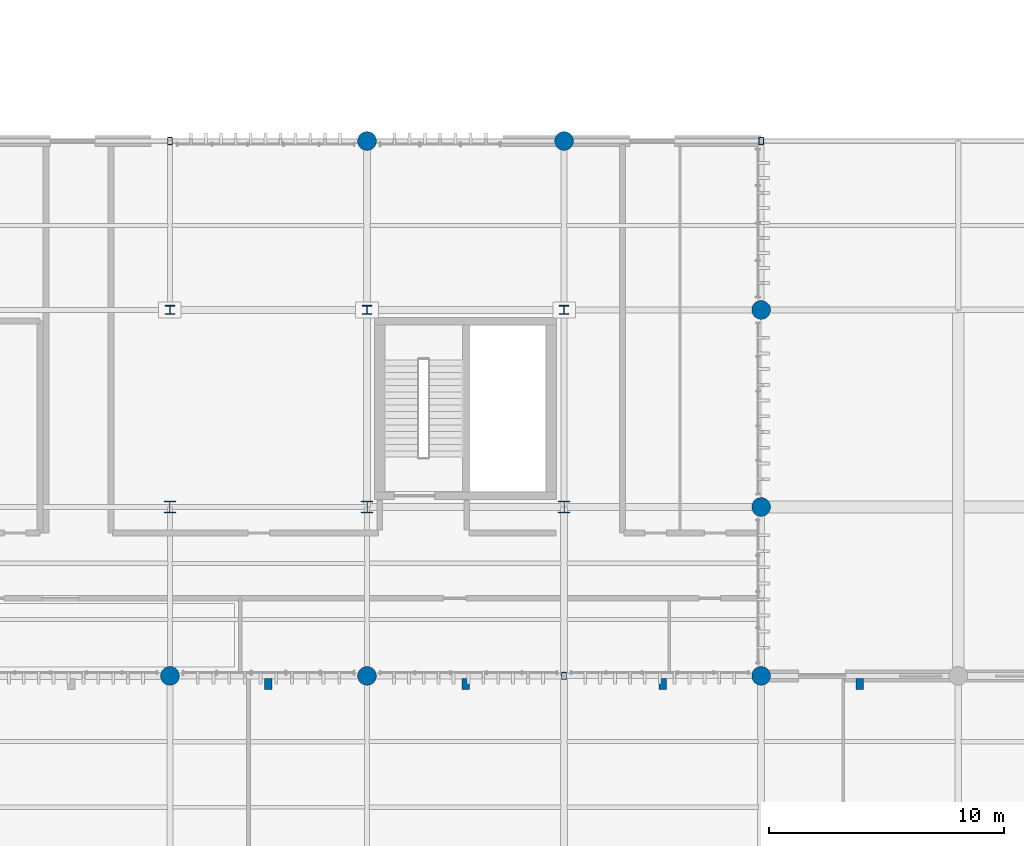
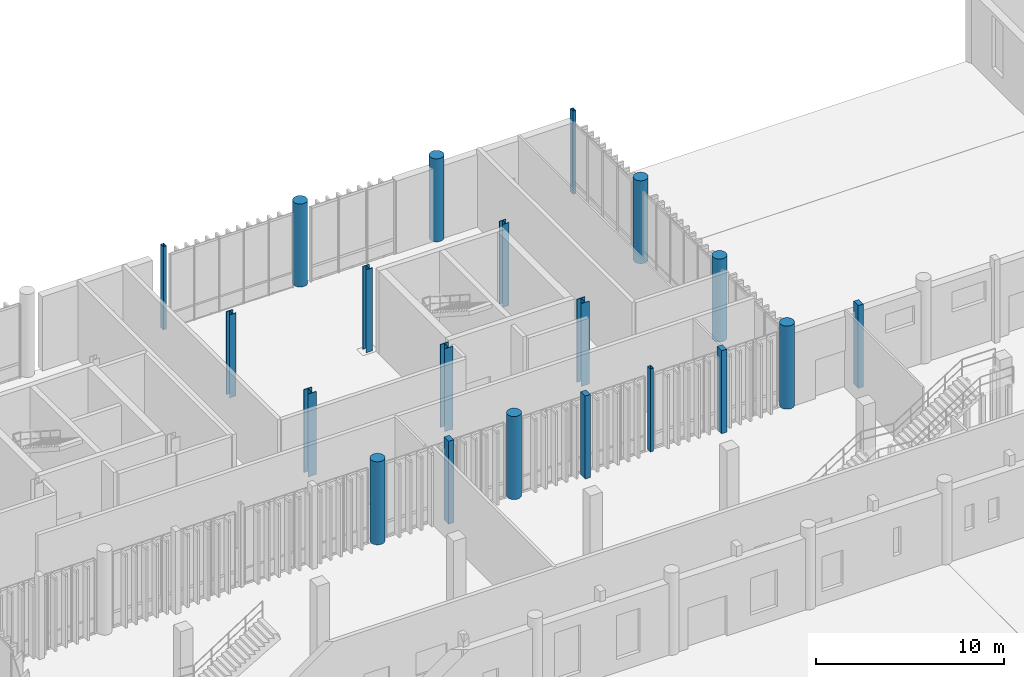
# One storey, part 8 of 112: 20 columns.
"""IFC4 building model written with IfcOpenShell, lengths in metres."""

from ifc_helpers import new_model, si_unit, direction, frame, origin_with_axes, origin_2d_with_axis, place, context, subcontext, project, spatial, rectangle, hollow_rectangle, circle, i_section, extrude, material, material_profile, profile_set, type_object, element, save


model = new_model("IFC4")

# Units and contexts
model_context = context("Model", 3, precision=1e-05, world=origin_with_axes(), true_north=direction((0.0, 1.0)))
body_context = subcontext(model_context, "Body", "Model", "MODEL_VIEW")
ifc_project = project(units=[si_unit("LENGTHUNIT", "METRE"), si_unit("AREAUNIT", "SQUARE_METRE"), si_unit("VOLUMEUNIT", "CUBIC_METRE"), si_unit("PLANEANGLEUNIT", "RADIAN"), si_unit("MASSUNIT", "GRAM", prefix="KILO"), si_unit("THERMODYNAMICTEMPERATUREUNIT", "KELVIN")], contexts=[model_context])

# Site, building, storey
site_placement = place(None, origin_with_axes())
site = spatial("IfcSite", under=ifc_project, at=site_placement, CompositionType="ELEMENT")
building_placement = place(site_placement, origin_with_axes())
building = spatial("IfcBuilding", under=site, at=building_placement, Name="Montbau Bow Law Courts", CompositionType="ELEMENT")
storey_placement = place(building_placement, origin_with_axes())
storey = spatial("IfcBuildingStorey", under=building, at=storey_placement, Name="L00", CompositionType="ELEMENT", Elevation=0.0)

# Columns
ifc_material_1 = material(Name="Steel CSA G40.21 Grade 350WT (350 MPa)", Category="steel")
ifc_material_profile_1 = material_profile(ifc_material_1, hollow_rectangle(XDim=0.203, YDim=0.305, WallThickness=0.0127, InnerFilletRadius=0.0254, OuterFilletRadius=0.0127, at=origin_2d_with_axis()), Name="HSS305X203X13", Category="Main", Priority=0)
ifc_profile_set_1 = profile_set([ifc_material_profile_1], Name="Steel CSA G40.21 Grade 350WT (350 MPa)")
column_type_1 = type_object("IfcColumnType", Name="C-HSS-03", PredefinedType="COLUMN", material=ifc_profile_set_1)
for number, where, z_axis, x_axis, name in (
    (1, (72.0, 61.8, 0.0), (0.0, 0.0, 1.0), (1.0, 0.0, 0.0), "C-L00-S0243:col2_0243"),
    (2, (88.8, 39.0, 0.0), (0.0, 0.0, 1.0), (1.0, 0.0, 0.0), "C-L00-S0252:col2_0252"),
    (3, (97.2, 61.8, 0.0), (0.0, 0.0, 1.0), (1.0, 0.0, 0.0), "C-L00-S0261:col2_0261"),
):
    element("IfcColumn", number, at=place(None, frame(where, z_axis=z_axis, x_axis=x_axis)), inside=storey, type_object=column_type_1, Name=name, PredefinedType="COLUMN", context=body_context, shape_type="SweptSolid", body=[
        extrude(hollow_rectangle(XDim=0.203, YDim=0.305, WallThickness=0.0127, InnerFilletRadius=0.0254, OuterFilletRadius=0.0127, at=origin_2d_with_axis()), origin_with_axes(), (0.0, 0.0, 1.0), 5.4),
    ])
ifc_material_2 = material(Name="Concrete CSA A23.1 f'c 40 MPa", Category="concrete")
ifc_material_profile_2 = material_profile(ifc_material_2, rectangle(XDim=0.32, YDim=0.48, at=origin_2d_with_axis()), Name="RC480X320", Category="Main", Priority=0)
ifc_profile_set_2 = profile_set([ifc_material_profile_2], Name="Concrete CSA A23.1 f'c 40 MPa")
column_type_2 = type_object("IfcColumnType", Name="C-PIL-02", PredefinedType="PILASTER", material=ifc_profile_set_2)
for number, where, z_axis, x_axis, name in (
    (4, (76.2, 38.65, 0.0), (0.0, 0.0, 1.0), (1.0, 0.0, 0.0), "PL-L00-S12:pil2_0035"),
    (5, (84.6, 38.65, 0.0), (0.0, 0.0, 1.0), (1.0, 0.0, 0.0), "PL-L00-S13:pil2_0038"),
    (6, (93.0, 38.65, 0.0), (0.0, 0.0, 1.0), (1.0, 0.0, 0.0), "PL-L00-S14:pil2_0041"),
    (7, (101.4, 38.65, 0.0), (0.0, 0.0, 1.0), (1.0, 0.0, 0.0), "PL-L00-S15:pil2_0044"),
):
    element("IfcColumn", number, at=place(None, frame(where, z_axis=z_axis, x_axis=x_axis)), inside=storey, type_object=column_type_2, Name=name, PredefinedType="PILASTER", context=body_context, shape_type="SweptSolid", body=[
        extrude(rectangle(XDim=0.32, YDim=0.48, at=origin_2d_with_axis()), origin_with_axes(), (0.0, 0.0, 1.0), 5.4),
    ])
ifc_material_profile_3 = material_profile(ifc_material_2, circle(Radius=0.4, at=origin_2d_with_axis()), Name="RC800D", Category="Main", Priority=0)
ifc_profile_set_3 = profile_set([ifc_material_profile_3], Name="Concrete CSA A23.1 f'c 40 MPa")
column_type_3 = type_object("IfcColumnType", Name="C-RC-07", PredefinedType="COLUMN", material=ifc_profile_set_3)
for number, where, z_axis, x_axis, name in (
    (8, (72.0, 39.0, 0.0), (0.0, 0.0, 1.0), (1.0, 0.0, 0.0), "C-L00-S0240:col2_0240"),
    (9, (80.4, 39.0, 0.0), (0.0, 0.0, 1.0), (1.0, 0.0, 0.0), "C-L00-S0246:col2_0246"),
    (10, (80.4, 61.8, 0.0), (0.0, 0.0, 1.0), (1.0, 0.0, 0.0), "C-L00-S0249:col2_0249"),
    (11, (88.8, 61.8, 0.0), (0.0, 0.0, 1.0), (1.0, 0.0, 0.0), "C-L00-S0255:col2_0255"),
    (12, (97.2, 39.0, 0.0), (0.0, 0.0, 1.0), (1.0, 0.0, 0.0), "C-L00-S0258:col2_0258"),
    (13, (97.2, 46.2, 0.0), (0.0, 0.0, 1.0), (1.0, 0.0, 0.0), "C-L00-S0259:col2_0259"),
    (14, (97.2, 54.6, 0.0), (0.0, 0.0, 1.0), (1.0, 0.0, 0.0), "C-L00-S0260:col2_0260"),
):
    element("IfcColumn", number, at=place(None, frame(where, z_axis=z_axis, x_axis=x_axis)), inside=storey, type_object=column_type_3, Name=name, PredefinedType="COLUMN", context=body_context, shape_type="SweptSolid", body=[
        extrude(circle(Radius=0.4, at=origin_2d_with_axis()), origin_with_axes(), (0.0, 0.0, 1.0), 5.4),
    ])
ifc_material_3 = material(Name="Steel CSA G40.21 Grade 350W (350 MPa)", Category="steel")
ifc_material_profile_4 = material_profile(ifc_material_3, i_section(OverallWidth=0.5, OverallDepth=0.5, WebThickness=0.022, FlangeThickness=0.036, at=origin_2d_with_axis()), Name="WWF500X343", Category="Main", Priority=0)
ifc_profile_set_4 = profile_set([ifc_material_profile_4], Name="Steel CSA G40.21 Grade 350W (350 MPa)")
column_type_4 = type_object("IfcColumnType", Name="C-STL-02", PredefinedType="COLUMN", material=ifc_profile_set_4)
for number, where, z_axis, x_axis, name in (
    (15, (72.0, 46.2, 0.0), (0.0, 0.0, 1.0), (1.0, 0.0, 0.0), "C-L00-S0241:col2_0241"),
    (16, (80.4, 46.2, 0.0), (0.0, 0.0, 1.0), (1.0, 0.0, 0.0), "C-L00-S0247:col2_0247"),
    (17, (88.8, 46.2, 0.0), (0.0, 0.0, 1.0), (1.0, 0.0, 0.0), "C-L00-S0253:col2_0253"),
):
    element("IfcColumn", number, at=place(None, frame(where, z_axis=z_axis, x_axis=x_axis)), inside=storey, type_object=column_type_4, Name=name, PredefinedType="COLUMN", context=body_context, shape_type="SweptSolid", body=[
        extrude(i_section(OverallWidth=0.5, OverallDepth=0.5, WebThickness=0.022, FlangeThickness=0.036, at=origin_2d_with_axis()), origin_with_axes(), (0.0, 0.0, 1.0), 5.4),
    ])
ifc_material_profile_5 = material_profile(ifc_material_3, i_section(OverallWidth=0.395, OverallDepth=0.38, WebThickness=0.0189, FlangeThickness=0.0302, at=origin_2d_with_axis()), Name="W360X237", Category="Main", Priority=0)
ifc_profile_set_5 = profile_set([ifc_material_profile_5], Name="Steel CSA G40.21 Grade 350W (350 MPa)")
column_type_5 = type_object("IfcColumnType", Name="C-STL-03", PredefinedType="COLUMN", material=ifc_profile_set_5)
for number, where, z_axis, x_axis, name in (
    (18, (72.0, 54.6, 0.0), (0.0, 0.0, 1.0), (1.0, 0.0, 0.0), "C-L00-S0242:col2_0242"),
    (19, (80.4, 54.6, 0.0), (0.0, 0.0, 1.0), (1.0, 0.0, 0.0), "C-L00-S0248:col2_0248"),
    (20, (88.8, 54.6, 0.0), (0.0, 0.0, 1.0), (1.0, 0.0, 0.0), "C-L00-S0254:col2_0254"),
):
    element("IfcColumn", number, at=place(None, frame(where, z_axis=z_axis, x_axis=x_axis)), inside=storey, type_object=column_type_5, Name=name, PredefinedType="COLUMN", context=body_context, shape_type="SweptSolid", body=[
        extrude(i_section(OverallWidth=0.395, OverallDepth=0.38, WebThickness=0.0189, FlangeThickness=0.0302, at=origin_2d_with_axis()), origin_with_axes(), (0.0, 0.0, 1.0), 5.4),
    ])

save(model, "model.ifc")
